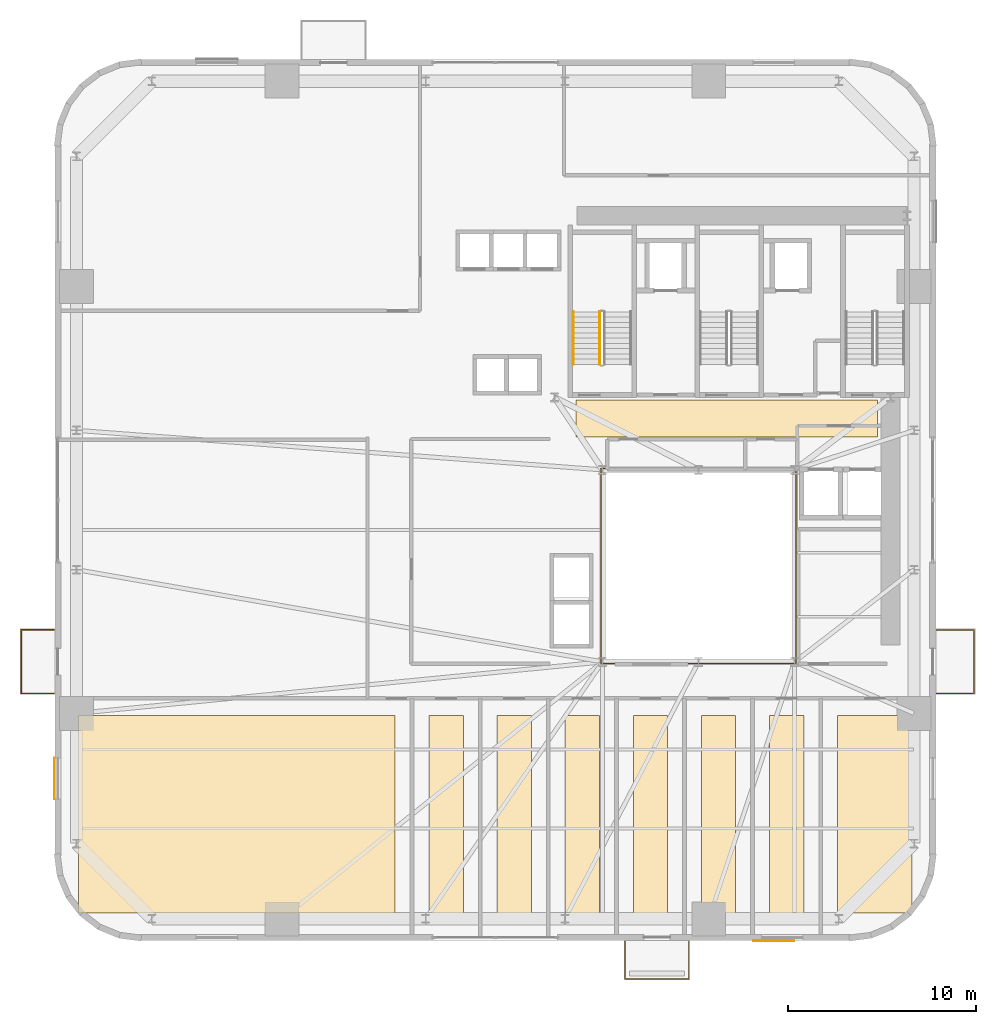
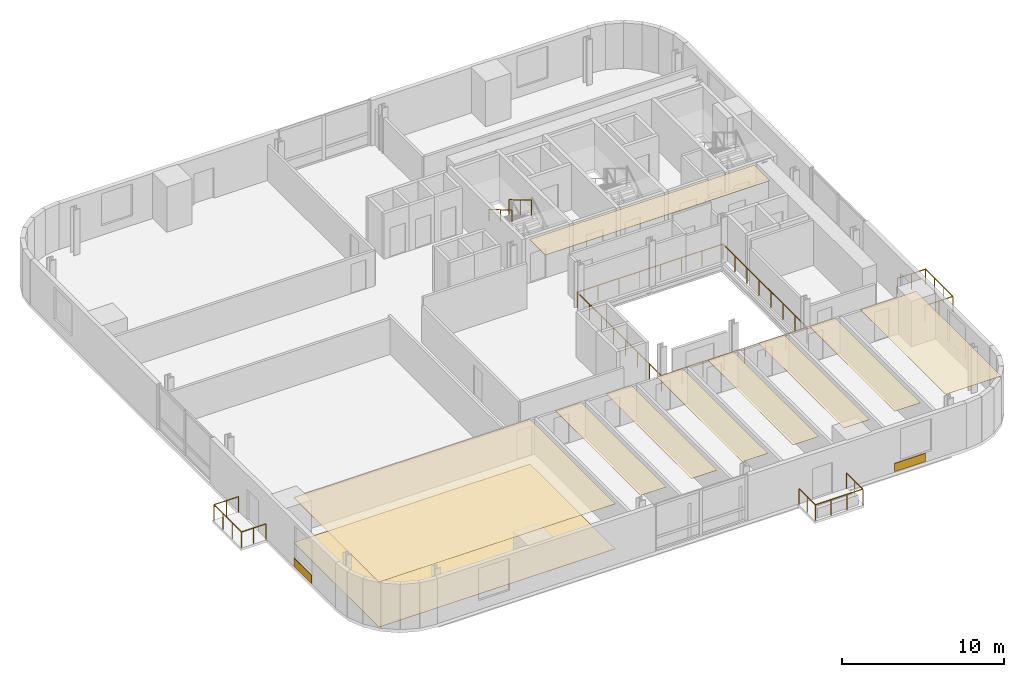
# One storey, part 10 of 12: 12 coverings, 6 railings.
"""IFC4 building model written with IfcOpenShell, lengths in metres."""

import ifcopenshell
import ifcopenshell.guid

model = None  # the IFC model being written
_history = None  # IfcOwnerHistory: only IFC2X3 demands one
_inside = {}  # id of a spatial element -> (the spatial element, [elements in it])
_under = {}  # id of a project, library or spatial element -> (it, [spatial elements below it])
_declared = {}  # id of a project -> (the project, [libraries it declares])
_typed = {}  # id of a type object -> (the type object, [elements of that type])
_made_of = {}  # id of a material, layer set ... -> (it, [elements and type objects made of it])


def new_model(schema):
    """Start an empty IFC model of exactly this schema.

    Asked for "IFC4X3", IfcOpenShell would pick the latest addendum, in which some entities
    have other attributes; the version numbers below select the first issue.
    IFC2X3 requires an IfcOwnerHistory on every rooted entity: one is made here for all.
    """
    global model, _history
    if schema == "IFC4X3":
        model = ifcopenshell.file(schema_version=(4, 3, 0, 0))
    else:
        model = ifcopenshell.file(schema=schema)
    _inside.clear()
    _under.clear()
    _declared.clear()
    _typed.clear()
    _made_of.clear()
    _history = None
    if model.schema == "IFC2X3":
        org = make("IfcOrganization", Name="unknown")
        user = make(
            "IfcPersonAndOrganization",
            ThePerson=make("IfcPerson", FamilyName="unknown"),
            TheOrganization=org,
        )
        app = make(
            "IfcApplication",
            ApplicationDeveloper=org,
            Version="unknown",
            ApplicationFullName="unknown",
            ApplicationIdentifier="unknown",
        )
        _history = make(
            "IfcOwnerHistory",
            OwningUser=user,
            OwningApplication=app,
            ChangeAction="ADDED",
            CreationDate=0,
        )
    return model


def make(cls, **values):
    """One entity of the class cls with the attributes given. An attribute that is None is left unset."""
    return model.create_entity(
        cls, **{name: value for name, value in values.items() if value is not None}
    )


def rooted(cls, **values):
    """An entity with a GlobalId (a new one), such as an element, a storey or a relation."""
    return make(cls, GlobalId=ifcopenshell.guid.new(), OwnerHistory=_history, **values)


def si_unit(unit_type, name, prefix=None):
    """IfcSIUnit, for example si_unit("LENGTHUNIT", "METRE", prefix="MILLI")."""
    return make("IfcSIUnit", UnitType=unit_type, Prefix=prefix, Name=name)


def assignment(units):
    """IfcUnitAssignment: the units of a project."""
    return None if units is None else make("IfcUnitAssignment", Units=units)


def point(xyz):
    """IfcCartesianPoint."""
    return None if xyz is None else make("IfcCartesianPoint", Coordinates=xyz)


def direction(xyz):
    """IfcDirection."""
    return None if xyz is None else make("IfcDirection", DirectionRatios=xyz)


def frame(location, z_axis=None, x_axis=None):
    """IfcAxis2Placement3D, a coordinate frame: its origin and axes. An axis left out is left unset."""
    return make(
        "IfcAxis2Placement3D",
        Location=point(location),
        Axis=direction(z_axis),
        RefDirection=direction(x_axis),
    )


def frame_2d(location, x_axis=None):
    """IfcAxis2Placement2D, a coordinate frame in the plane: its origin and x axis."""
    return make(
        "IfcAxis2Placement2D", Location=point(location), RefDirection=direction(x_axis)
    )


def origin():
    """The frame at (0, 0, 0) with its axes left unset."""
    return frame((0.0, 0.0, 0.0))


def origin_2d():
    """The frame at (0, 0) in the plane with its x axis left unset."""
    return frame_2d((0.0, 0.0))


def place(relative_to, where):
    """IfcLocalPlacement: puts the frame where relative to a parent placement (None: the world)."""
    return make(
        "IfcLocalPlacement", PlacementRelTo=relative_to, RelativePlacement=where
    )


def context(
    kind, dimensions, precision=None, world=None, true_north=None, identifier=None
):
    """IfcGeometricRepresentationContext, for example the 3D "Model" context."""
    return make(
        "IfcGeometricRepresentationContext",
        ContextIdentifier=identifier,
        ContextType=kind,
        CoordinateSpaceDimension=dimensions,
        Precision=precision,
        WorldCoordinateSystem=world,
        TrueNorth=true_north,
    )


def subcontext(parent, identifier, kind, view, scale=None):
    """IfcGeometricRepresentationSubContext, for example "Body" below "Model"."""
    return make(
        "IfcGeometricRepresentationSubContext",
        ContextIdentifier=identifier,
        ContextType=kind,
        ParentContext=parent,
        TargetScale=scale,
        TargetView=view,
    )


def project(units=None, contexts=None):
    """IfcProject with its units and contexts."""
    return rooted(
        "IfcProject",
        Name="project",
        RepresentationContexts=contexts,
        UnitsInContext=assignment(units),
    )


def spatial(cls, under=None, at=None, **own):
    """A site, building, storey or space (cls), placed at a placement, below another one or the project."""
    s = rooted(cls, ObjectPlacement=at, **own)
    if under is not None:
        _under.setdefault(under.id(), (under, []))[1].append(s)
    return s


def polyline(points):
    """IfcPolyline through the points."""
    return make("IfcPolyline", Points=[point(p) for p in points])


def profile(cls, at=None, kind="AREA", **sizes):
    """A parametric profile (cls). Its sizes go by their IFC names, for example OverallWidth=200.0."""
    return make(cls, ProfileType=kind, Position=at, **sizes)


def rectangle(**sizes):
    """IfcRectangleProfileDef."""
    return profile("IfcRectangleProfileDef", **sizes)


def outline(outer, holes=None, kind="AREA"):
    """IfcArbitraryClosedProfileDef: a profile drawn as a closed curve; with holes, ...WithVoids."""
    if holes is None:
        return make("IfcArbitraryClosedProfileDef", ProfileType=kind, OuterCurve=outer)
    return make(
        "IfcArbitraryProfileDefWithVoids",
        ProfileType=kind,
        OuterCurve=outer,
        InnerCurves=holes,
    )


def extrude(swept, where, along, depth):
    """IfcExtrudedAreaSolid: the profile swept, set in the frame where, extruded along a direction by depth."""
    return make(
        "IfcExtrudedAreaSolid",
        SweptArea=swept,
        Position=where,
        ExtrudedDirection=direction(along),
        Depth=depth,
    )


def shape(context_of_items, identifier, shape_type, items):
    """IfcShapeRepresentation: the items that make up one representation, for example the "Body"."""
    return make(
        "IfcShapeRepresentation",
        ContextOfItems=context_of_items,
        RepresentationIdentifier=identifier,
        RepresentationType=shape_type,
        Items=items,
    )


def source(mapping_origin, context_of_items, identifier, shape_type, items):
    """IfcRepresentationMap: a shape defined once, which mapped items show again and again."""
    return make(
        "IfcRepresentationMap",
        MappingOrigin=mapping_origin,
        MappedRepresentation=shape(context_of_items, identifier, shape_type, items),
    )


def transform(
    local_origin,
    x_axis=None,
    y_axis=None,
    z_axis=None,
    scale=None,
    scale2=None,
    scale3=None,
    uniform=True,
):
    """IfcCartesianTransformationOperator3D, or its non-uniform kind. x_axis, y_axis, z_axis: its Axis1, 2, 3."""
    if uniform:
        return make(
            "IfcCartesianTransformationOperator3D",
            Axis1=direction(x_axis),
            Axis2=direction(y_axis),
            LocalOrigin=point(local_origin),
            Scale=scale,
            Axis3=direction(z_axis),
        )
    return make(
        "IfcCartesianTransformationOperator3DnonUniform",
        Axis1=direction(x_axis),
        Axis2=direction(y_axis),
        LocalOrigin=point(local_origin),
        Scale=scale,
        Axis3=direction(z_axis),
        Scale2=scale2,
        Scale3=scale3,
    )


def mapped(mapping_source, mapping_target):
    """IfcMappedItem: shows the shape of a source again, moved by a transform."""
    return make(
        "IfcMappedItem", MappingSource=mapping_source, MappingTarget=mapping_target
    )


def material(Name=None, Category=None):
    """IfcMaterial."""
    return make("IfcMaterial", Name=Name, Category=Category)


def layer(
    of_material, thickness, ventilated=None, Name=None, Category=None, Priority=None
):
    """IfcMaterialLayer: one layer of a wall or slab, of a material (None: an air gap)."""
    return make(
        "IfcMaterialLayer",
        Material=of_material,
        LayerThickness=thickness,
        IsVentilated=ventilated,
        Name=Name,
        Category=Category,
        Priority=Priority,
    )


def layer_set(layers, Name=None):
    """IfcMaterialLayerSet."""
    return make("IfcMaterialLayerSet", MaterialLayers=layers, LayerSetName=Name)


def made_of(thing, what):
    """Note that an element or type object is made of a material, layer set ...; save() writes the relation."""
    if what is not None:
        _made_of.setdefault(what.id(), (what, []))[1].append(thing)
    return thing


def type_object(cls, material=None, **own):
    """A type object (cls), such as IfcWallType, which elements share."""
    return made_of(rooted(cls, **own), material)


def element(
    cls,
    number,
    at=None,
    inside=None,
    cuts=None,
    type_object=None,
    material=None,
    context=None,
    identifier="Body",
    shape_type=None,
    held_by="IfcProductDefinitionShape",
    body=None,
    shapes=None,
    **own,
):
    """One element of the class cls, such as IfcWall. Its Tag is "e" and its number.

    at: its placement. inside: the storey or other place that contains it. cuts: it is an
    opening in that element (IfcRelVoidsElement). A single representation is given by context,
    identifier, shape_type and body (its items); several are given by shapes. held_by: the class
    of the entity that holds the representations. save() writes the other relations.
    """
    e = rooted(cls, Tag="e%d" % number, ObjectPlacement=at, **own)
    if body is not None:
        shapes = [shape(context, identifier, shape_type, body)]
    if shapes is not None:
        e.Representation = make(held_by, Representations=shapes)
    if inside is not None:
        _inside.setdefault(inside.id(), (inside, []))[1].append(e)
    if cuts is not None:
        rooted(
            "IfcRelVoidsElement", RelatingBuildingElement=cuts, RelatedOpeningElement=e
        )
    if type_object is not None:
        _typed.setdefault(type_object.id(), (type_object, []))[1].append(e)
    return made_of(e, material)


def aggregate(whole, parts):
    """IfcRelAggregates: a whole, such as a stair, and the parts it consists of."""
    return rooted("IfcRelAggregates", RelatingObject=whole, RelatedObjects=parts)


def save(model, path):
    """Write the relations noted so far, then the file.

    IfcRelAggregates (storeys below a building ...), IfcRelContainedInSpatialStructure (elements
    in a storey), IfcRelDefinesByType, IfcRelAssociatesMaterial and IfcRelDeclares: one each for
    every whole, place, type object, material and project.
    """
    for whole, parts in _under.values():
        aggregate(whole, parts)
    for where, things in _inside.values():
        rooted(
            "IfcRelContainedInSpatialStructure",
            RelatedElements=things,
            RelatingStructure=where,
        )
    for kind, things in _typed.values():
        rooted("IfcRelDefinesByType", RelatedObjects=things, RelatingType=kind)
    for what, things in _made_of.values():
        rooted("IfcRelAssociatesMaterial", RelatedObjects=things, RelatingMaterial=what)
    for by, libraries in _declared.values():
        rooted("IfcRelDeclares", RelatingContext=by, RelatedDefinitions=libraries)
    model.write(path)


model = new_model("IFC4")

# Units and contexts
model_context = context("Model", 3, precision=1e-05, world=origin(), true_north=direction((0.0, 1.0)))
body_context = subcontext(model_context, "Body", "Model", "MODEL_VIEW")
ifc_project = project(units=[si_unit("LENGTHUNIT", "METRE"), si_unit("AREAUNIT", "SQUARE_METRE"), si_unit("VOLUMEUNIT", "CUBIC_METRE"), si_unit("PLANEANGLEUNIT", "RADIAN"), si_unit("MASSUNIT", "GRAM", prefix="KILO")], contexts=[model_context])

# Site, building, storey
site_placement = place(None, origin())
site = spatial("IfcSite", under=ifc_project, at=site_placement, CompositionType="ELEMENT")
building_placement = place(site_placement, origin())
building = spatial("IfcBuilding", under=site, at=building_placement, Name="Vardaveli Station Tower", CompositionType="ELEMENT")
storey_placement = place(building_placement, frame((0.0, 0.0, 60.449951171875)))
storey = spatial("IfcBuildingStorey", under=building, at=storey_placement, Name="L15", CompositionType="ELEMENT", Elevation=60.449951171875)

# Coverings
ifc_material_1 = material(Name="Perforated acoustic mineral ceiling")
ifc_layer_1 = layer(ifc_material_1, 0.02001953125, Name="Perforated acoustic mineral ceiling")
ifc_layer_set_1 = layer_set([ifc_layer_1], Name="Perforated acoustic mineral ceiling")
covering_type_1 = type_object("IfcCoveringType", Name="COV-CEIL-AC20", PredefinedType="CEILING", material=ifc_layer_set_1)
covering_1_placement = place(storey_placement, frame((0.0, 0.0, 3.39501953125)))
element("IfcCovering", 1, at=covering_1_placement, inside=storey, type_object=covering_type_1, Name="CEIL-L15-1", PredefinedType="CEILING", context=body_context, shape_type="SweptSolid", body=[
    extrude(outline(polyline([(3.35009765625, 3.25), (20.179931640625, 3.25), (20.179931640625, 13.760009765625), (3.35009765625, 13.760009765625), (3.35009765625, 3.25)])), origin(), (0.0, 0.0, 1.0), 0.02001953125),
])
covering_2_placement = place(storey_placement, frame((0.0, 0.0, 3.39501953125)))
element("IfcCovering", 2, at=covering_2_placement, inside=storey, type_object=covering_type_1, Name="CEIL-L15-2", PredefinedType="CEILING", context=body_context, shape_type="SweptSolid", body=[
    extrude(outline(polyline([(21.97998046875, 3.25), (23.7978515625, 3.25), (23.7978515625, 13.760009765625), (21.97998046875, 13.760009765625), (21.97998046875, 3.25)])), origin(), (0.0, 0.0, 1.0), 0.02001953125),
])
covering_3_placement = place(storey_placement, frame((0.0, 0.0, 3.39501953125)))
element("IfcCovering", 3, at=covering_3_placement, inside=storey, type_object=covering_type_1, Name="CEIL-L15-3", PredefinedType="CEILING", context=body_context, shape_type="SweptSolid", body=[
    extrude(outline(polyline([(25.597900390625, 3.25), (27.415771484375, 3.25), (27.415771484375, 13.760009765625), (25.597900390625, 13.760009765625), (25.597900390625, 3.25)])), origin(), (0.0, 0.0, 1.0), 0.02001953125),
])
covering_4_placement = place(storey_placement, frame((0.0, 0.0, 3.39501953125)))
element("IfcCovering", 4, at=covering_4_placement, inside=storey, type_object=covering_type_1, Name="CEIL-L15-4", PredefinedType="CEILING", context=body_context, shape_type="SweptSolid", body=[
    extrude(outline(polyline([(29.2158203125, 3.25), (31.03369140625, 3.25), (31.03369140625, 13.760009765625), (29.2158203125, 13.760009765625), (29.2158203125, 3.25)])), origin(), (0.0, 0.0, 1.0), 0.02001953125),
])
covering_5_placement = place(storey_placement, frame((0.0, 0.0, 3.39501953125)))
element("IfcCovering", 5, at=covering_5_placement, inside=storey, type_object=covering_type_1, Name="CEIL-L15-5", PredefinedType="CEILING", context=body_context, shape_type="SweptSolid", body=[
    extrude(outline(polyline([(32.833740234375, 3.25), (34.651611328125, 3.25), (34.651611328125, 13.760009765625), (32.833740234375, 13.760009765625), (32.833740234375, 3.25)])), origin(), (0.0, 0.0, 1.0), 0.02001953125),
])
covering_6_placement = place(storey_placement, frame((0.0, 0.0, 3.39501953125)))
element("IfcCovering", 6, at=covering_6_placement, inside=storey, type_object=covering_type_1, Name="CEIL-L15-6", PredefinedType="CEILING", context=body_context, shape_type="SweptSolid", body=[
    extrude(outline(polyline([(36.45166015625, 3.25), (38.26953125, 3.25), (38.26953125, 13.760009765625), (36.45166015625, 13.760009765625), (36.45166015625, 3.25)])), origin(), (0.0, 0.0, 1.0), 0.02001953125),
])
covering_7_placement = place(storey_placement, frame((0.0, 0.0, 3.39501953125)))
element("IfcCovering", 7, at=covering_7_placement, inside=storey, type_object=covering_type_1, Name="CEIL-L15-7", PredefinedType="CEILING", context=body_context, shape_type="SweptSolid", body=[
    extrude(outline(polyline([(40.069580078125, 3.25), (41.887451171875, 3.25), (41.887451171875, 13.760009765625), (40.069580078125, 13.760009765625), (40.069580078125, 3.25)])), origin(), (0.0, 0.0, 1.0), 0.02001953125),
])
covering_8_placement = place(storey_placement, frame((0.0, 0.0, 3.39501953125)))
element("IfcCovering", 8, at=covering_8_placement, inside=storey, type_object=covering_type_1, Name="CEIL-L15-8", PredefinedType="CEILING", context=body_context, shape_type="SweptSolid", body=[
    extrude(outline(polyline([(43.6875, 3.25), (47.64990234375, 3.25), (47.64990234375, 13.760009765625), (43.6875, 13.760009765625), (43.6875, 3.25)])), origin(), (0.0, 0.0, 1.0), 0.02001953125),
])
covering_9_placement = place(storey_placement, frame((0.0, 0.0, 3.39501953125)))
element("IfcCovering", 9, at=covering_9_placement, inside=storey, type_object=covering_type_1, Name="CEIL-L15-9", PredefinedType="CEILING", context=body_context, shape_type="SweptSolid", body=[
    extrude(outline(polyline([(29.800048828125, 28.550048828125), (45.800048828125, 28.550048828125), (45.800048828125, 30.5), (29.800048828125, 30.5), (29.800048828125, 28.550048828125)])), origin(), (0.0, 0.0, 1.0), 0.02001953125),
])
ifc_material_2 = material(Name="Honed Caucasian basalt and travertine flooring", Category="masonry")
ifc_layer_2 = layer(ifc_material_2, 0.030029296875, Name="Honed Caucasian basalt and travertine flooring")
ifc_layer_set_2 = layer_set([ifc_layer_2], Name="Honed Caucasian basalt and travertine flooring")
covering_type_2 = type_object("IfcCoveringType", Name="COV-FLOOR-ST30", PredefinedType="FLOORING", material=ifc_layer_set_2)
covering_10_placement = place(storey_placement, origin())
element("IfcCovering", 10, at=covering_10_placement, inside=storey, type_object=covering_type_2, Name="FLR-L15-1", PredefinedType="FLOORING", context=body_context, shape_type="SweptSolid", body=[
    extrude(outline(polyline([(3.35009765625, 3.25), (20.179931640625, 3.25), (20.179931640625, 13.760009765625), (3.35009765625, 13.760009765625), (3.35009765625, 3.25)])), origin(), (0.0, 0.0, 1.0), 0.030029296875),
])
ifc_material_3 = material(Name="Ventilated honed travertine stone cladding", Category="masonry")
ifc_layer_3 = layer(ifc_material_3, 0.044921875, Name="Ventilated honed travertine stone cladding")
ifc_layer_set_3 = layer_set([ifc_layer_3], Name="Ventilated honed travertine stone cladding")
covering_type_3 = type_object("IfcCoveringType", Name="COV-CLAD-TR45", PredefinedType="CLADDING", material=ifc_layer_set_3)
shared_shape_1 = source(origin(), body_context, "Body", "SweptSolid", [
    extrude(rectangle(XDim=2.199951171875, YDim=0.044921875, at=origin_2d()), origin(), (0.0, 0.0, 1.0), 0.6201171875),
])
for number, where, z_axis, x_axis, name in (
    (11, (40.294921875, 1.785400390625, 0.070068359375), (0.0, 0.0, 1.0), (1.0, 0.0, 0.0), "CLD-TR-L15-S"),
    (12, (2.08544921875, 10.405029296875, 0.070068359375), (0.0, 0.0, 1.0), (0.0, 1.0, 0.0), "CLD-TR-L15-W"),
):
    element("IfcCovering", number, at=place(storey_placement, frame(where, z_axis=z_axis, x_axis=x_axis)), inside=storey, type_object=covering_type_3, Name=name, PredefinedType="CLADDING", context=body_context, shape_type="MappedRepresentation", body=[
        mapped(shared_shape_1, transform((0.0, 0.0, 0.0), scale=1.0)),
    ])

# Railings
ifc_material_4 = material(Name="Laminated glass and stainless steel balustrade", Category="steel")
railing_type_1 = type_object("IfcRailingType", Name="RL-BAL-1200", PredefinedType="BALUSTRADE", material=ifc_material_4)
shared_shape_2 = source(origin(), body_context, "Body", "SweptSolid", [
    extrude(rectangle(XDim=0.048095703125, YDim=0.048095703125, at=origin_2d()), frame((0.0, 0.0, 1.17578125), z_axis=(0.0, -1.0, 0.0), x_axis=(1.0, 0.0, 0.0)), (0.0, 0.0, 1.0), 2.0),
    extrude(rectangle(XDim=0.048095703125, YDim=0.048095703125, at=origin_2d()), frame((0.0, -2.0, 1.17578125), z_axis=(1.0, 0.0, 0.0), x_axis=(0.0, 1.0, 0.0)), (0.0, 0.0, 1.0), 3.3798828125),
    extrude(rectangle(XDim=0.048095703125, YDim=0.048095703125, at=origin_2d()), frame((3.3798828125, -2.0, 1.17578125), z_axis=(0.0, 1.0, 0.0), x_axis=(-1.0, 0.0, 0.0)), (0.0, 0.0, 1.0), 2.0),
    extrude(rectangle(XDim=0.0419921875, YDim=0.0419921875, at=origin_2d()), origin(), (0.0, 0.0, 1.0), 1.15185546875),
    extrude(rectangle(XDim=0.0419921875, YDim=0.0419921875, at=origin_2d()), frame((0.0, -1.0, 0.0)), (0.0, 0.0, 1.0), 1.15185546875),
    extrude(rectangle(XDim=0.0419921875, YDim=0.0419921875, at=origin_2d()), frame((0.0, -2.0, 0.0)), (0.0, 0.0, 1.0), 1.15185546875),
    extrude(rectangle(XDim=0.0419921875, YDim=0.0419921875, at=origin_2d()), frame((1.126708984375, -2.0, 0.0)), (0.0, 0.0, 1.0), 1.15185546875),
    extrude(rectangle(XDim=0.0419921875, YDim=0.0419921875, at=origin_2d()), frame((2.253173828125, -2.0, 0.0)), (0.0, 0.0, 1.0), 1.15185546875),
    extrude(rectangle(XDim=0.0419921875, YDim=0.0419921875, at=origin_2d()), frame((3.3798828125, -2.0, 0.0)), (0.0, 0.0, 1.0), 1.15185546875),
    extrude(rectangle(XDim=0.0419921875, YDim=0.0419921875, at=origin_2d()), frame((3.3798828125, -1.0, 0.0)), (0.0, 0.0, 1.0), 1.15185546875),
    extrude(rectangle(XDim=0.0419921875, YDim=0.0419921875, at=origin_2d()), frame((3.3798828125, 0.0, 0.0)), (0.0, 0.0, 1.0), 1.15185546875),
])
railing_1_placement = place(storey_placement, frame((32.399658203125, 1.760009765625, 0.0)))
element("IfcRailing", 13, at=railing_1_placement, inside=storey, type_object=railing_type_1, Name="RL-LOG-L15-01", PredefinedType="BALUSTRADE", context=body_context, shape_type="MappedRepresentation", body=[
    mapped(shared_shape_2, transform((0.0, 0.0, 0.0), scale=1.0)),
])
shared_shape_3 = source(origin(), body_context, "Body", "SweptSolid", [
    extrude(rectangle(XDim=0.048095703125, YDim=0.048095703125, at=origin_2d()), frame((0.0, 0.0, 1.17578125), z_axis=(-1.0, 0.0, 0.0), x_axis=(0.0, -1.0, 0.0)), (0.0, 0.0, 1.0), 1.75),
    extrude(rectangle(XDim=0.048095703125, YDim=0.048095703125, at=origin_2d()), frame((-1.75, 0.0, 1.17578125), z_axis=(0.0, 1.0, 0.0), x_axis=(-1.0, 0.0, 0.0)), (0.0, 0.0, 1.0), 3.3798828125),
    extrude(rectangle(XDim=0.048095703125, YDim=0.048095703125, at=origin_2d()), frame((-1.75, 3.3798828125, 1.17578125), z_axis=(1.0, 0.0, 0.0), x_axis=(0.0, 1.0, 0.0)), (0.0, 0.0, 1.0), 1.75),
    extrude(rectangle(XDim=0.0419921875, YDim=0.0419921875, at=origin_2d()), origin(), (0.0, 0.0, 1.0), 1.15185546875),
    extrude(rectangle(XDim=0.0419921875, YDim=0.0419921875, at=origin_2d()), frame((-0.875, 0.0, 0.0)), (0.0, 0.0, 1.0), 1.15185546875),
    extrude(rectangle(XDim=0.0419921875, YDim=0.0419921875, at=origin_2d()), frame((-1.75, 0.0, 0.0)), (0.0, 0.0, 1.0), 1.15185546875),
    extrude(rectangle(XDim=0.0419921875, YDim=0.0419921875, at=origin_2d()), frame((-1.75, 1.126708984375, 0.0)), (0.0, 0.0, 1.0), 1.15185546875),
    extrude(rectangle(XDim=0.0419921875, YDim=0.0419921875, at=origin_2d()), frame((-1.75, 2.253173828125, 0.0)), (0.0, 0.0, 1.0), 1.15185546875),
    extrude(rectangle(XDim=0.0419921875, YDim=0.0419921875, at=origin_2d()), frame((-1.75, 3.3798828125, 0.0)), (0.0, 0.0, 1.0), 1.15185546875),
    extrude(rectangle(XDim=0.0419921875, YDim=0.0419921875, at=origin_2d()), frame((-0.875, 3.3798828125, 0.0)), (0.0, 0.0, 1.0), 1.15185546875),
    extrude(rectangle(XDim=0.0419921875, YDim=0.0419921875, at=origin_2d()), frame((0.0, 3.3798828125, 0.0)), (0.0, 0.0, 1.0), 1.15185546875),
])
railing_2_placement = place(storey_placement, frame((2.06005859375, 14.92041015625, 0.0)))
element("IfcRailing", 14, at=railing_2_placement, inside=storey, type_object=railing_type_1, Name="RL-LOG-L15-03", PredefinedType="BALUSTRADE", context=body_context, shape_type="MappedRepresentation", body=[
    mapped(shared_shape_3, transform((0.0, 0.0, 0.0), scale=1.0)),
])
shared_shape_4 = source(origin(), body_context, "Body", "SweptSolid", [
    extrude(rectangle(XDim=0.048095703125, YDim=0.048095703125, at=origin_2d()), frame((0.0, 0.0, 1.17578125), z_axis=(1.0, 0.0, 0.0), x_axis=(0.0, 1.0, 0.0)), (0.0, 0.0, 1.0), 2.0),
    extrude(rectangle(XDim=0.048095703125, YDim=0.048095703125, at=origin_2d()), frame((2.0, 0.0, 1.17578125), z_axis=(0.0, 1.0, 0.0), x_axis=(-1.0, 0.0, 0.0)), (0.0, 0.0, 1.0), 3.3798828125),
    extrude(rectangle(XDim=0.048095703125, YDim=0.048095703125, at=origin_2d()), frame((2.0, 3.3798828125, 1.17578125), z_axis=(-1.0, 0.0, 0.0), x_axis=(0.0, -1.0, 0.0)), (0.0, 0.0, 1.0), 2.0),
    extrude(rectangle(XDim=0.0419921875, YDim=0.0419921875, at=origin_2d()), origin(), (0.0, 0.0, 1.0), 1.15185546875),
    extrude(rectangle(XDim=0.0419921875, YDim=0.0419921875, at=origin_2d()), frame((1.0, 0.0, 0.0)), (0.0, 0.0, 1.0), 1.15185546875),
    extrude(rectangle(XDim=0.0419921875, YDim=0.0419921875, at=origin_2d()), frame((2.0, 0.0, 0.0)), (0.0, 0.0, 1.0), 1.15185546875),
    extrude(rectangle(XDim=0.0419921875, YDim=0.0419921875, at=origin_2d()), frame((2.0, 1.126708984375, 0.0)), (0.0, 0.0, 1.0), 1.15185546875),
    extrude(rectangle(XDim=0.0419921875, YDim=0.0419921875, at=origin_2d()), frame((2.0, 2.253173828125, 0.0)), (0.0, 0.0, 1.0), 1.15185546875),
    extrude(rectangle(XDim=0.0419921875, YDim=0.0419921875, at=origin_2d()), frame((2.0, 3.3798828125, 0.0)), (0.0, 0.0, 1.0), 1.15185546875),
    extrude(rectangle(XDim=0.0419921875, YDim=0.0419921875, at=origin_2d()), frame((1.0, 3.3798828125, 0.0)), (0.0, 0.0, 1.0), 1.15185546875),
    extrude(rectangle(XDim=0.0419921875, YDim=0.0419921875, at=origin_2d()), frame((0.0, 3.3798828125, 0.0)), (0.0, 0.0, 1.0), 1.15185546875),
])
railing_3_placement = place(storey_placement, frame((48.93994140625, 14.92041015625, 0.0)))
element("IfcRailing", 15, at=railing_3_placement, inside=storey, type_object=railing_type_1, Name="RL-LOG-L15-04", PredefinedType="BALUSTRADE", context=body_context, shape_type="MappedRepresentation", body=[
    mapped(shared_shape_4, transform((0.0, 0.0, 0.0), scale=1.0)),
])
ifc_material_5 = material(Name="Brushed AISI 316 stainless steel", Category="steel")
railing_type_2 = type_object("IfcRailingType", Name="RL-GUARD-1150", PredefinedType="GUARDRAIL", material=ifc_material_5)
shared_shape_5 = source(origin(), body_context, "Body", "SweptSolid", [
    extrude(rectangle(XDim=0.048095703125, YDim=0.048095703125, at=origin_2d()), frame((0.0, 0.0, 1.1259765625), z_axis=(0.0, -0.860306154799, 0.50977771628), x_axis=(1.0, 0.0, 0.0)), (0.0, 0.0, 1.0), 3.254638671875),
    extrude(rectangle(XDim=0.0419921875, YDim=0.0419921875, at=origin_2d()), origin(), (0.0, 0.0, 1.0), 1.101806640625),
    extrude(rectangle(XDim=0.0419921875, YDim=0.0419921875, at=origin_2d()), frame((0.0, -1.39990234375, 0.82958984375)), (0.0, 0.0, 1.0), 1.101806640625),
    extrude(rectangle(XDim=0.0419921875, YDim=0.0419921875, at=origin_2d()), frame((0.0, -2.800048828125, 1.6591796875)), (0.0, 0.0, 1.0), 1.101806640625),
])
railing_4_placement = place(storey_placement, frame((31.050048828125, 35.199951171875, 1.990966796875)))
element("IfcRailing", 16, at=railing_4_placement, inside=storey, type_object=railing_type_2, Name="L15 ST-1 stair guard 3", PredefinedType="GUARDRAIL", context=body_context, shape_type="MappedRepresentation", body=[
    mapped(shared_shape_5, transform((0.0, 0.0, 0.0), scale=1.0)),
])
railing_type_3 = type_object("IfcRailingType", Name="RL-HAND-900", PredefinedType="HANDRAIL", material=ifc_material_5)
shared_shape_6 = source(origin(), body_context, "Body", "SweptSolid", [
    extrude(rectangle(XDim=0.048095703125, YDim=0.048095703125, at=origin_2d()), frame((0.0, 0.0, 0.8759765625), z_axis=(0.0, -0.860306154799, 0.50977771628), x_axis=(1.0, 0.0, 0.0)), (0.0, 0.0, 1.0), 3.254638671875),
    extrude(rectangle(XDim=0.0419921875, YDim=0.0419921875, at=origin_2d()), origin(), (0.0, 0.0, 1.0), 0.851806640625),
    extrude(rectangle(XDim=0.0419921875, YDim=0.0419921875, at=origin_2d()), frame((0.0, -1.39990234375, 0.82958984375)), (0.0, 0.0, 1.0), 0.851806640625),
    extrude(rectangle(XDim=0.0419921875, YDim=0.0419921875, at=origin_2d()), frame((0.0, -2.800048828125, 1.6591796875)), (0.0, 0.0, 1.0), 0.851806640625),
])
railing_5_placement = place(storey_placement, frame((29.64990234375, 35.199951171875, 1.990966796875)))
element("IfcRailing", 17, at=railing_5_placement, inside=storey, type_object=railing_type_3, Name="L15 ST-1 stair handrail 2", PredefinedType="HANDRAIL", context=body_context, shape_type="MappedRepresentation", body=[
    mapped(shared_shape_6, transform((0.0, 0.0, 0.0), scale=1.0)),
])
shared_shape_7 = source(origin(), body_context, "Body", "SweptSolid", [
    extrude(rectangle(XDim=0.048095703125, YDim=0.048095703125, at=origin_2d()), frame((0.0, 0.0, 1.17578125), z_axis=(1.0, 0.0, 0.0), x_axis=(0.0, 1.0, 0.0)), (0.0, 0.0, 1.0), 10.35986328125),
    extrude(rectangle(XDim=0.048095703125, YDim=0.048095703125, at=origin_2d()), frame((10.35986328125, 0.0, 1.17578125), z_axis=(0.0, 1.0, 0.0), x_axis=(-1.0, 0.0, 0.0)), (0.0, 0.0, 1.0), 10.35986328125),
    extrude(rectangle(XDim=0.048095703125, YDim=0.048095703125, at=origin_2d()), frame((10.35986328125, 10.35986328125, 1.17578125), z_axis=(-1.0, 0.0, 0.0), x_axis=(0.0, -1.0, 0.0)), (0.0, 0.0, 1.0), 10.35986328125),
    extrude(rectangle(XDim=0.048095703125, YDim=0.048095703125, at=origin_2d()), frame((0.0, 10.35986328125, 1.17578125), z_axis=(0.0, -1.0, 0.0), x_axis=(1.0, 0.0, 0.0)), (0.0, 0.0, 1.0), 10.35986328125),
    extrude(rectangle(XDim=0.0419921875, YDim=0.0419921875, at=origin_2d()), origin(), (0.0, 0.0, 1.0), 1.15185546875),
    extrude(rectangle(XDim=0.0419921875, YDim=0.0419921875, at=origin_2d()), frame((1.47998046875, 0.0, 0.0)), (0.0, 0.0, 1.0), 1.15185546875),
    extrude(rectangle(XDim=0.0419921875, YDim=0.0419921875, at=origin_2d()), frame((2.9599609375, 0.0, 0.0)), (0.0, 0.0, 1.0), 1.15185546875),
    extrude(rectangle(XDim=0.0419921875, YDim=0.0419921875, at=origin_2d()), frame((4.43994140625, 0.0, 0.0)), (0.0, 0.0, 1.0), 1.15185546875),
    extrude(rectangle(XDim=0.0419921875, YDim=0.0419921875, at=origin_2d()), frame((5.919921875, 0.0, 0.0)), (0.0, 0.0, 1.0), 1.15185546875),
    extrude(rectangle(XDim=0.0419921875, YDim=0.0419921875, at=origin_2d()), frame((7.39990234375, 0.0, 0.0)), (0.0, 0.0, 1.0), 1.15185546875),
    extrude(rectangle(XDim=0.0419921875, YDim=0.0419921875, at=origin_2d()), frame((8.8798828125, 0.0, 0.0)), (0.0, 0.0, 1.0), 1.15185546875),
    extrude(rectangle(XDim=0.0419921875, YDim=0.0419921875, at=origin_2d()), frame((10.35986328125, 0.0, 0.0)), (0.0, 0.0, 1.0), 1.15185546875),
    extrude(rectangle(XDim=0.0419921875, YDim=0.0419921875, at=origin_2d()), frame((10.35986328125, 1.47998046875, 0.0)), (0.0, 0.0, 1.0), 1.15185546875),
    extrude(rectangle(XDim=0.0419921875, YDim=0.0419921875, at=origin_2d()), frame((10.35986328125, 2.9599609375, 0.0)), (0.0, 0.0, 1.0), 1.15185546875),
    extrude(rectangle(XDim=0.0419921875, YDim=0.0419921875, at=origin_2d()), frame((10.35986328125, 4.43994140625, 0.0)), (0.0, 0.0, 1.0), 1.15185546875),
    extrude(rectangle(XDim=0.0419921875, YDim=0.0419921875, at=origin_2d()), frame((10.35986328125, 5.919921875, 0.0)), (0.0, 0.0, 1.0), 1.15185546875),
    extrude(rectangle(XDim=0.0419921875, YDim=0.0419921875, at=origin_2d()), frame((10.35986328125, 7.39990234375, 0.0)), (0.0, 0.0, 1.0), 1.15185546875),
    extrude(rectangle(XDim=0.0419921875, YDim=0.0419921875, at=origin_2d()), frame((10.35986328125, 8.8798828125, 0.0)), (0.0, 0.0, 1.0), 1.15185546875),
    extrude(rectangle(XDim=0.0419921875, YDim=0.0419921875, at=origin_2d()), frame((10.35986328125, 10.35986328125, 0.0)), (0.0, 0.0, 1.0), 1.15185546875),
    extrude(rectangle(XDim=0.0419921875, YDim=0.0419921875, at=origin_2d()), frame((8.8798828125, 10.35986328125, 0.0)), (0.0, 0.0, 1.0), 1.15185546875),
    extrude(rectangle(XDim=0.0419921875, YDim=0.0419921875, at=origin_2d()), frame((7.39990234375, 10.35986328125, 0.0)), (0.0, 0.0, 1.0), 1.15185546875),
    extrude(rectangle(XDim=0.0419921875, YDim=0.0419921875, at=origin_2d()), frame((5.919921875, 10.35986328125, 0.0)), (0.0, 0.0, 1.0), 1.15185546875),
    extrude(rectangle(XDim=0.0419921875, YDim=0.0419921875, at=origin_2d()), frame((4.43994140625, 10.35986328125, 0.0)), (0.0, 0.0, 1.0), 1.15185546875),
    extrude(rectangle(XDim=0.0419921875, YDim=0.0419921875, at=origin_2d()), frame((2.9599609375, 10.35986328125, 0.0)), (0.0, 0.0, 1.0), 1.15185546875),
    extrude(rectangle(XDim=0.0419921875, YDim=0.0419921875, at=origin_2d()), frame((1.47998046875, 10.35986328125, 0.0)), (0.0, 0.0, 1.0), 1.15185546875),
    extrude(rectangle(XDim=0.0419921875, YDim=0.0419921875, at=origin_2d()), frame((0.0, 10.35986328125, 0.0)), (0.0, 0.0, 1.0), 1.15185546875),
    extrude(rectangle(XDim=0.0419921875, YDim=0.0419921875, at=origin_2d()), frame((0.0, 8.8798828125, 0.0)), (0.0, 0.0, 1.0), 1.15185546875),
    extrude(rectangle(XDim=0.0419921875, YDim=0.0419921875, at=origin_2d()), frame((0.0, 7.39990234375, 0.0)), (0.0, 0.0, 1.0), 1.15185546875),
    extrude(rectangle(XDim=0.0419921875, YDim=0.0419921875, at=origin_2d()), frame((0.0, 5.919921875, 0.0)), (0.0, 0.0, 1.0), 1.15185546875),
    extrude(rectangle(XDim=0.0419921875, YDim=0.0419921875, at=origin_2d()), frame((0.0, 4.43994140625, 0.0)), (0.0, 0.0, 1.0), 1.15185546875),
    extrude(rectangle(XDim=0.0419921875, YDim=0.0419921875, at=origin_2d()), frame((0.0, 2.9599609375, 0.0)), (0.0, 0.0, 1.0), 1.15185546875),
    extrude(rectangle(XDim=0.0419921875, YDim=0.0419921875, at=origin_2d()), frame((0.0, 1.47998046875, 0.0)), (0.0, 0.0, 1.0), 1.15185546875),
])
railing_6_placement = place(storey_placement, frame((31.1201171875, 16.52001953125, 0.0)))
element("IfcRailing", 18, at=railing_6_placement, inside=storey, type_object=railing_type_1, Name="RL-ATR-L15", PredefinedType="BALUSTRADE", context=body_context, shape_type="MappedRepresentation", body=[
    mapped(shared_shape_7, transform((0.0, 0.0, 0.0), scale=1.0)),
])

save(model, "model.ifc")
